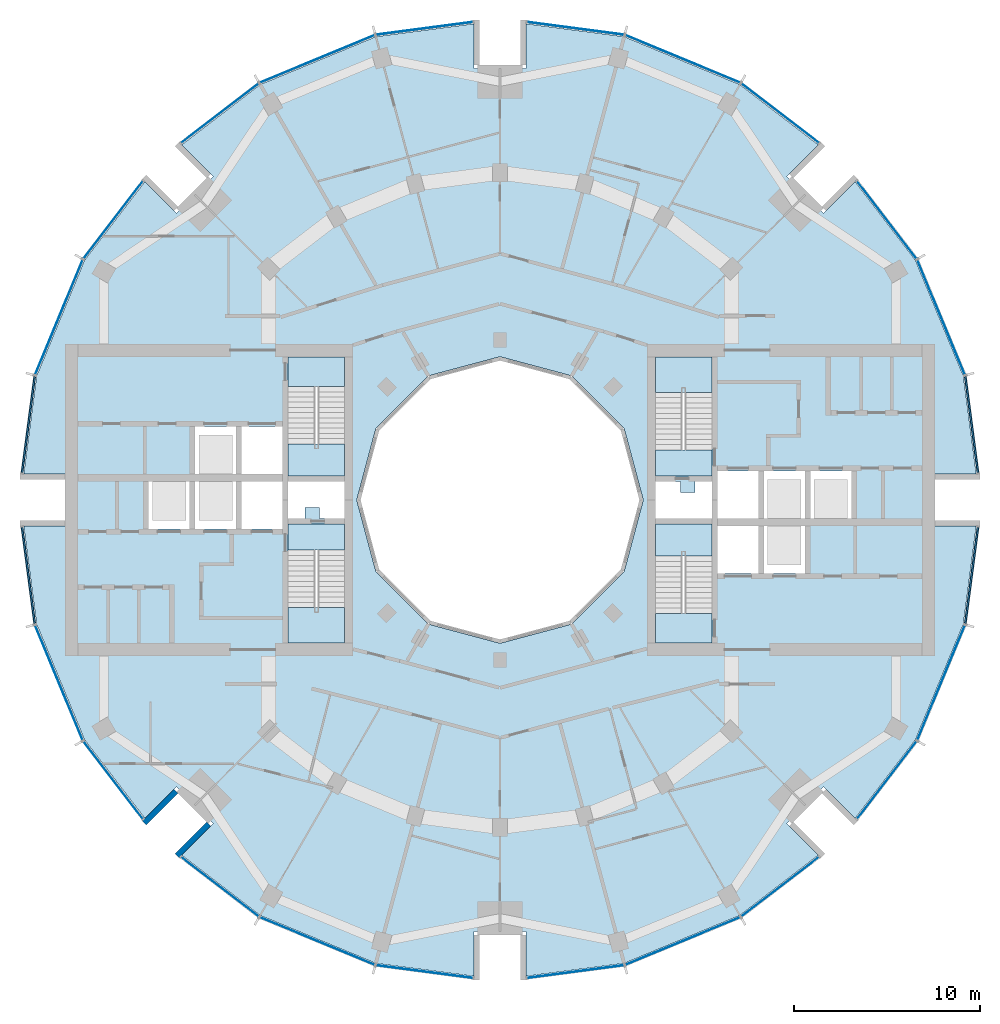
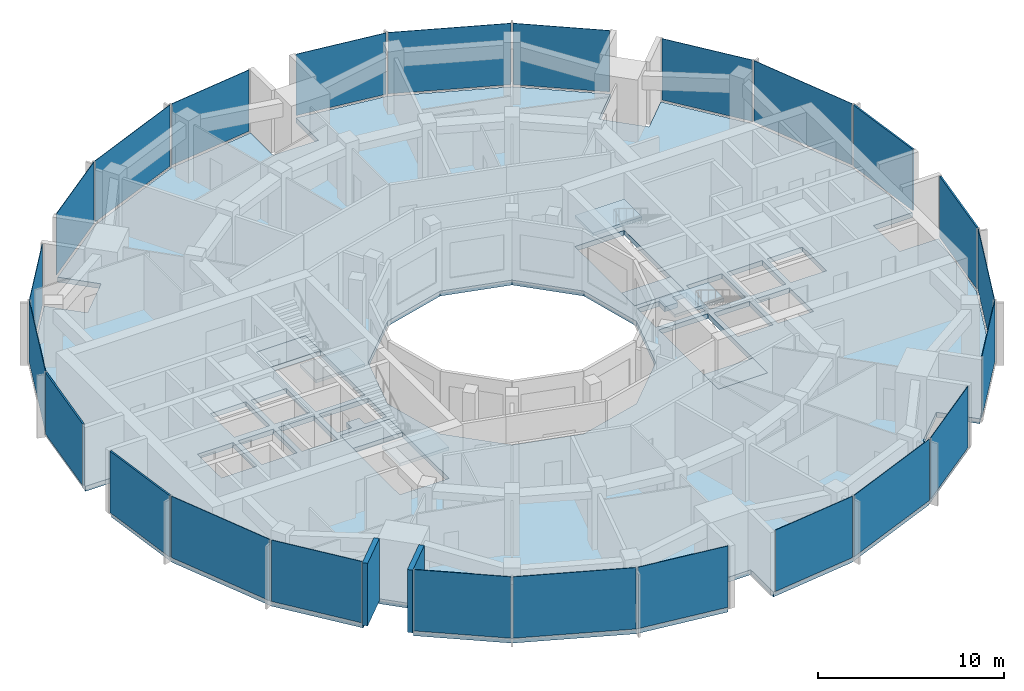
# One storey, part 7 of 15: 24 plates, 9 slabs, 2 walls, 28 elements without a shape of their own.
"""IFC4 building model written with IfcOpenShell, lengths in metres."""

from ifc_helpers import new_model, si_unit, direction, frame, frame_2d, origin, origin_2d, place, context, subcontext, project, spatial, polyline, rectangle, outline, extrude, material, layer, layer_set, type_object, element, aggregate, save


model = new_model("IFC4")

# Units and contexts
model_context = context("Model", 3, precision=1e-05, world=origin(), true_north=direction((0.0, 1.0)))
body_context = subcontext(model_context, "Body", "Model", "MODEL_VIEW")
ifc_project = project(units=[si_unit("LENGTHUNIT", "METRE"), si_unit("AREAUNIT", "SQUARE_METRE"), si_unit("VOLUMEUNIT", "CUBIC_METRE"), si_unit("PLANEANGLEUNIT", "RADIAN"), si_unit("MASSUNIT", "GRAM", prefix="KILO")], contexts=[model_context])

# Site, building, storey
site_placement = place(None, origin())
site = spatial("IfcSite", under=ifc_project, at=site_placement, CompositionType="ELEMENT")
building_placement = place(site_placement, origin())
building = spatial("IfcBuilding", under=site, at=building_placement, Name="Torre Brocal", CompositionType="ELEMENT")
storey_placement = place(building_placement, frame((0.0, 0.0, 170.0)))
storey = spatial("IfcBuildingStorey", under=building, at=storey_placement, Name="L39", CompositionType="ELEMENT", Elevation=170.0)

# Curtain wall, plate
ifc_material_1 = material(Name="Aluminium and glass", Category="aluminium")
ifc_layer_1 = layer(ifc_material_1, 0.199951171875)
ifc_layer_set_1 = layer_set([ifc_layer_1], Name="Aluminium and glass")
curtain_wall_type_1 = type_object("IfcCurtainWallType", Name="CW-1 CURTAIN WALL 4100 HIGH", PredefinedType="NOTDEFINED", material=ifc_layer_set_1)
curtain_wall_1_placement = place(storey_placement, origin())
curtain_wall_1 = element("IfcCurtainWall", 1, at=curtain_wall_1_placement, inside=storey, type_object=curtain_wall_type_1, Name="CW-1 RUN 2", PredefinedType="NOTDEFINED")
ifc_material_2 = material(Name="Glass, dark tinted laminated", Category="glass")
ifc_layer_2 = layer(ifc_material_2, 0.031982421875)
ifc_layer_set_2 = layer_set([ifc_layer_2], Name="Glass, dark tinted laminated")
plate_type_1 = type_object("IfcPlateType", Name="CW-1 GLASS PANEL 32", PredefinedType="CURTAIN_PANEL", material=ifc_layer_set_2)
plate_1_placement = place(storey_placement, frame((103.722900390625, 84.826416015625, 0.080078125), z_axis=(0.0, 0.0, 1.0), x_axis=(-0.382683432333, 0.923879532525, 0.0)))
plate_1 = element("IfcPlate", 2, at=plate_1_placement, type_object=plate_type_1, Name="CW1-4 panel 1.1", PredefinedType="CURTAIN_PANEL", context=body_context, shape_type="SweptSolid", body=[
    extrude(rectangle(XDim=6.64111328125, YDim=0.031982421875, at=origin_2d()), origin(), (0.0, 0.0, 1.0), 4.02001953125),
])
aggregate(curtain_wall_1, [plate_1])

curtain_wall_2_placement = place(storey_placement, origin())
curtain_wall_2 = element("IfcCurtainWall", 3, at=curtain_wall_2_placement, inside=storey, type_object=curtain_wall_type_1, Name="CW-1 RUN 3", PredefinedType="NOTDEFINED")
plate_2_placement = place(storey_placement, frame((100.80126953125, 90.0712890625, 0.080078125), z_axis=(0.0, 0.0, 1.0), x_axis=(-0.60876142905, 0.793353340259, 0.0)))
plate_2 = element("IfcPlate", 4, at=plate_2_placement, type_object=plate_type_1, Name="CW1-4 panel 1.1", PredefinedType="CURTAIN_PANEL", context=body_context, shape_type="SweptSolid", body=[
    extrude(rectangle(XDim=5.22900390625, YDim=0.031982421875, at=origin_2d()), origin(), (0.0, 0.0, 1.0), 4.02001953125),
])
aggregate(curtain_wall_2, [plate_2])

curtain_wall_3_placement = place(storey_placement, origin())
curtain_wall_3 = element("IfcCurtainWall", 5, at=curtain_wall_3_placement, inside=storey, type_object=curtain_wall_type_1, Name="CW-1 RUN 4", PredefinedType="NOTDEFINED")
plate_3_placement = place(storey_placement, frame((95.0712890625, 95.80126953125, 0.080078125), z_axis=(0.0, 0.0, 1.0), x_axis=(-0.793353340259, 0.60876142905, 0.0)))
plate_3 = element("IfcPlate", 6, at=plate_3_placement, type_object=plate_type_1, Name="CW1-4 panel 1.1", PredefinedType="CURTAIN_PANEL", context=body_context, shape_type="SweptSolid", body=[
    extrude(rectangle(XDim=5.22900390625, YDim=0.031982421875, at=origin_2d()), origin(), (0.0, 0.0, 1.0), 4.02001953125),
])
aggregate(curtain_wall_3, [plate_3])

curtain_wall_4_placement = place(storey_placement, origin())
curtain_wall_4 = element("IfcCurtainWall", 7, at=curtain_wall_4_placement, inside=storey, type_object=curtain_wall_type_1, Name="CW-1 RUN 5", PredefinedType="NOTDEFINED")
plate_4_placement = place(storey_placement, frame((89.826416015625, 98.722900390625, 0.080078125), z_axis=(0.0, 0.0, 1.0), x_axis=(-0.923879532525, 0.382683432333, 0.0)))
plate_4 = element("IfcPlate", 8, at=plate_4_placement, type_object=plate_type_1, Name="CW1-4 panel 1.1", PredefinedType="CURTAIN_PANEL", context=body_context, shape_type="SweptSolid", body=[
    extrude(rectangle(XDim=6.64111328125, YDim=0.031982421875, at=origin_2d()), origin(), (0.0, 0.0, 1.0), 4.02001953125),
])
aggregate(curtain_wall_4, [plate_4])

curtain_wall_5_placement = place(storey_placement, origin())
curtain_wall_5 = element("IfcCurtainWall", 9, at=curtain_wall_5_placement, inside=storey, type_object=curtain_wall_type_1, Name="CW-1 RUN 6", PredefinedType="NOTDEFINED")
plate_5_placement = place(storey_placement, frame((84.051513671875, 100.36572265625, 0.080078125), z_axis=(0.0, 0.0, 1.0), x_axis=(-0.991444861374, 0.13052619222, 0.0)))
plate_5 = element("IfcPlate", 10, at=plate_5_placement, type_object=plate_type_1, Name="CW1-4 panel 1.1", PredefinedType="CURTAIN_PANEL", context=body_context, shape_type="SweptSolid", body=[
    extrude(rectangle(XDim=5.22900390625, YDim=0.031982421875, at=origin_2d()), origin(), (0.0, 0.0, 1.0), 4.02001953125),
])
aggregate(curtain_wall_5, [plate_5])

curtain_wall_6_placement = place(storey_placement, origin())
curtain_wall_6 = element("IfcCurtainWall", 11, at=curtain_wall_6_placement, inside=storey, type_object=curtain_wall_type_1, Name="CW-1 RUN 7", PredefinedType="NOTDEFINED")
plate_6_placement = place(storey_placement, frame((75.948486328125, 100.36572265625, 0.080078125), z_axis=(0.0, 0.0, 1.0), x_axis=(-0.991444861374, -0.13052619222, 0.0)))
plate_6 = element("IfcPlate", 12, at=plate_6_placement, type_object=plate_type_1, Name="CW1-4 panel 1.1", PredefinedType="CURTAIN_PANEL", context=body_context, shape_type="SweptSolid", body=[
    extrude(rectangle(XDim=5.22900390625, YDim=0.031982421875, at=origin_2d()), origin(), (0.0, 0.0, 1.0), 4.02001953125),
])
aggregate(curtain_wall_6, [plate_6])

curtain_wall_7_placement = place(storey_placement, origin())
curtain_wall_7 = element("IfcCurtainWall", 13, at=curtain_wall_7_placement, inside=storey, type_object=curtain_wall_type_1, Name="CW-1 RUN 8", PredefinedType="NOTDEFINED")
plate_7_placement = place(storey_placement, frame((70.173583984375, 98.722900390625, 0.080078125), z_axis=(0.0, 0.0, 1.0), x_axis=(-0.923879532525, -0.382683432333, 0.0)))
plate_7 = element("IfcPlate", 14, at=plate_7_placement, type_object=plate_type_1, Name="CW1-4 panel 1.1", PredefinedType="CURTAIN_PANEL", context=body_context, shape_type="SweptSolid", body=[
    extrude(rectangle(XDim=6.64111328125, YDim=0.031982421875, at=origin_2d()), origin(), (0.0, 0.0, 1.0), 4.02001953125),
])
aggregate(curtain_wall_7, [plate_7])

curtain_wall_8_placement = place(storey_placement, origin())
curtain_wall_8 = element("IfcCurtainWall", 15, at=curtain_wall_8_placement, inside=storey, type_object=curtain_wall_type_1, Name="CW-1 RUN 9", PredefinedType="NOTDEFINED")
plate_8_placement = place(storey_placement, frame((64.9287109375, 95.80126953125, 0.080078125), z_axis=(0.0, 0.0, 1.0), x_axis=(-0.793353340259, -0.60876142905, 0.0)))
plate_8 = element("IfcPlate", 16, at=plate_8_placement, type_object=plate_type_1, Name="CW1-4 panel 1.1", PredefinedType="CURTAIN_PANEL", context=body_context, shape_type="SweptSolid", body=[
    extrude(rectangle(XDim=5.22900390625, YDim=0.031982421875, at=origin_2d()), origin(), (0.0, 0.0, 1.0), 4.02001953125),
])
aggregate(curtain_wall_8, [plate_8])

curtain_wall_9_placement = place(storey_placement, origin())
curtain_wall_9 = element("IfcCurtainWall", 17, at=curtain_wall_9_placement, inside=storey, type_object=curtain_wall_type_1, Name="CW-1 RUN 10", PredefinedType="NOTDEFINED")
plate_9_placement = place(storey_placement, frame((59.19873046875, 90.0712890625, 0.080078125), z_axis=(0.0, 0.0, 1.0), x_axis=(-0.60876142905, -0.793353340259, 0.0)))
plate_9 = element("IfcPlate", 18, at=plate_9_placement, type_object=plate_type_1, Name="CW1-4 panel 1.1", PredefinedType="CURTAIN_PANEL", context=body_context, shape_type="SweptSolid", body=[
    extrude(rectangle(XDim=5.22900390625, YDim=0.031982421875, at=origin_2d()), origin(), (0.0, 0.0, 1.0), 4.02001953125),
])
aggregate(curtain_wall_9, [plate_9])

curtain_wall_10_placement = place(storey_placement, origin())
curtain_wall_10 = element("IfcCurtainWall", 19, at=curtain_wall_10_placement, inside=storey, type_object=curtain_wall_type_1, Name="CW-1 RUN 11", PredefinedType="NOTDEFINED")
plate_10_placement = place(storey_placement, frame((56.277099609375, 84.826416015625, 0.080078125), z_axis=(0.0, 0.0, 1.0), x_axis=(-0.382683432333, -0.923879532525, 0.0)))
plate_10 = element("IfcPlate", 20, at=plate_10_placement, type_object=plate_type_1, Name="CW1-4 panel 1.1", PredefinedType="CURTAIN_PANEL", context=body_context, shape_type="SweptSolid", body=[
    extrude(rectangle(XDim=6.64111328125, YDim=0.031982421875, at=origin_2d()), origin(), (0.0, 0.0, 1.0), 4.02001953125),
])
aggregate(curtain_wall_10, [plate_10])

curtain_wall_11_placement = place(storey_placement, origin())
curtain_wall_11 = element("IfcCurtainWall", 21, at=curtain_wall_11_placement, inside=storey, type_object=curtain_wall_type_1, Name="CW-1 RUN 14", PredefinedType="NOTDEFINED")
plate_11_placement = place(storey_placement, frame((56.277099609375, 65.173583984375, 0.080078125), z_axis=(0.0, 0.0, 1.0), x_axis=(0.382683432333, -0.923879532525, 0.0)))
plate_11 = element("IfcPlate", 22, at=plate_11_placement, type_object=plate_type_1, Name="CW1-4 panel 1.1", PredefinedType="CURTAIN_PANEL", context=body_context, shape_type="SweptSolid", body=[
    extrude(rectangle(XDim=6.64111328125, YDim=0.031982421875, at=origin_2d()), origin(), (0.0, 0.0, 1.0), 4.02001953125),
])
aggregate(curtain_wall_11, [plate_11])

curtain_wall_12_placement = place(storey_placement, origin())
curtain_wall_12 = element("IfcCurtainWall", 23, at=curtain_wall_12_placement, inside=storey, type_object=curtain_wall_type_1, Name="CW-1 RUN 15", PredefinedType="NOTDEFINED")
plate_12_placement = place(storey_placement, frame((59.19873046875, 59.9287109375, 0.080078125), z_axis=(0.0, 0.0, 1.0), x_axis=(0.60876142905, -0.793353340259, 0.0)))
plate_12 = element("IfcPlate", 24, at=plate_12_placement, type_object=plate_type_1, Name="CW1-4 panel 1.1", PredefinedType="CURTAIN_PANEL", context=body_context, shape_type="SweptSolid", body=[
    extrude(rectangle(XDim=5.22900390625, YDim=0.031982421875, at=origin_2d()), origin(), (0.0, 0.0, 1.0), 4.02001953125),
])
aggregate(curtain_wall_12, [plate_12])

curtain_wall_13_placement = place(storey_placement, origin())
curtain_wall_13 = element("IfcCurtainWall", 25, at=curtain_wall_13_placement, inside=storey, type_object=curtain_wall_type_1, Name="CW-1 RUN 16", PredefinedType="NOTDEFINED")
plate_13_placement = place(storey_placement, frame((64.9287109375, 54.19873046875, 0.080078125), z_axis=(0.0, 0.0, 1.0), x_axis=(0.793353340259, -0.60876142905, 0.0)))
plate_13 = element("IfcPlate", 26, at=plate_13_placement, type_object=plate_type_1, Name="CW1-4 panel 1.1", PredefinedType="CURTAIN_PANEL", context=body_context, shape_type="SweptSolid", body=[
    extrude(rectangle(XDim=5.22900390625, YDim=0.031982421875, at=origin_2d()), origin(), (0.0, 0.0, 1.0), 4.02001953125),
])
aggregate(curtain_wall_13, [plate_13])

curtain_wall_14_placement = place(storey_placement, origin())
curtain_wall_14 = element("IfcCurtainWall", 27, at=curtain_wall_14_placement, inside=storey, type_object=curtain_wall_type_1, Name="CW-1 RUN 17", PredefinedType="NOTDEFINED")
plate_14_placement = place(storey_placement, frame((70.173583984375, 51.277099609375, 0.080078125), z_axis=(0.0, 0.0, 1.0), x_axis=(0.923879532525, -0.382683432333, 0.0)))
plate_14 = element("IfcPlate", 28, at=plate_14_placement, type_object=plate_type_1, Name="CW1-4 panel 1.1", PredefinedType="CURTAIN_PANEL", context=body_context, shape_type="SweptSolid", body=[
    extrude(rectangle(XDim=6.64111328125, YDim=0.031982421875, at=origin_2d()), origin(), (0.0, 0.0, 1.0), 4.02001953125),
])
aggregate(curtain_wall_14, [plate_14])

curtain_wall_15_placement = place(storey_placement, origin())
curtain_wall_15 = element("IfcCurtainWall", 29, at=curtain_wall_15_placement, inside=storey, type_object=curtain_wall_type_1, Name="CW-1 RUN 18", PredefinedType="NOTDEFINED")
plate_15_placement = place(storey_placement, frame((75.948486328125, 49.63427734375, 0.080078125), z_axis=(0.0, 0.0, 1.0), x_axis=(0.991444861374, -0.13052619222, 0.0)))
plate_15 = element("IfcPlate", 30, at=plate_15_placement, type_object=plate_type_1, Name="CW1-4 panel 1.1", PredefinedType="CURTAIN_PANEL", context=body_context, shape_type="SweptSolid", body=[
    extrude(rectangle(XDim=5.22900390625, YDim=0.031982421875, at=origin_2d()), origin(), (0.0, 0.0, 1.0), 4.02001953125),
])
aggregate(curtain_wall_15, [plate_15])

curtain_wall_16_placement = place(storey_placement, origin())
curtain_wall_16 = element("IfcCurtainWall", 31, at=curtain_wall_16_placement, inside=storey, type_object=curtain_wall_type_1, Name="CW-1 RUN 19", PredefinedType="NOTDEFINED")
plate_16_placement = place(storey_placement, frame((84.051513671875, 49.63427734375, 0.080078125), z_axis=(0.0, 0.0, 1.0), x_axis=(0.991444861374, 0.13052619222, 0.0)))
plate_16 = element("IfcPlate", 32, at=plate_16_placement, type_object=plate_type_1, Name="CW1-4 panel 1.1", PredefinedType="CURTAIN_PANEL", context=body_context, shape_type="SweptSolid", body=[
    extrude(rectangle(XDim=5.22900390625, YDim=0.031982421875, at=origin_2d()), origin(), (0.0, 0.0, 1.0), 4.02001953125),
])
aggregate(curtain_wall_16, [plate_16])

curtain_wall_17_placement = place(storey_placement, origin())
curtain_wall_17 = element("IfcCurtainWall", 33, at=curtain_wall_17_placement, inside=storey, type_object=curtain_wall_type_1, Name="CW-1 RUN 20", PredefinedType="NOTDEFINED")
plate_17_placement = place(storey_placement, frame((89.826416015625, 51.277099609375, 0.080078125), z_axis=(0.0, 0.0, 1.0), x_axis=(0.923879532525, 0.382683432333, 0.0)))
plate_17 = element("IfcPlate", 34, at=plate_17_placement, type_object=plate_type_1, Name="CW1-4 panel 1.1", PredefinedType="CURTAIN_PANEL", context=body_context, shape_type="SweptSolid", body=[
    extrude(rectangle(XDim=6.64111328125, YDim=0.031982421875, at=origin_2d()), origin(), (0.0, 0.0, 1.0), 4.02001953125),
])
aggregate(curtain_wall_17, [plate_17])

curtain_wall_18_placement = place(storey_placement, origin())
curtain_wall_18 = element("IfcCurtainWall", 35, at=curtain_wall_18_placement, inside=storey, type_object=curtain_wall_type_1, Name="CW-1 RUN 21", PredefinedType="NOTDEFINED")
plate_18_placement = place(storey_placement, frame((95.0712890625, 54.19873046875, 0.080078125), z_axis=(0.0, 0.0, 1.0), x_axis=(0.793353340259, 0.60876142905, 0.0)))
plate_18 = element("IfcPlate", 36, at=plate_18_placement, type_object=plate_type_1, Name="CW1-4 panel 1.1", PredefinedType="CURTAIN_PANEL", context=body_context, shape_type="SweptSolid", body=[
    extrude(rectangle(XDim=5.22900390625, YDim=0.031982421875, at=origin_2d()), origin(), (0.0, 0.0, 1.0), 4.02001953125),
])
aggregate(curtain_wall_18, [plate_18])

curtain_wall_19_placement = place(storey_placement, origin())
curtain_wall_19 = element("IfcCurtainWall", 37, at=curtain_wall_19_placement, inside=storey, type_object=curtain_wall_type_1, Name="CW-1 RUN 22", PredefinedType="NOTDEFINED")
plate_19_placement = place(storey_placement, frame((100.80126953125, 59.9287109375, 0.080078125), z_axis=(0.0, 0.0, 1.0), x_axis=(0.60876142905, 0.793353340259, 0.0)))
plate_19 = element("IfcPlate", 38, at=plate_19_placement, type_object=plate_type_1, Name="CW1-4 panel 1.1", PredefinedType="CURTAIN_PANEL", context=body_context, shape_type="SweptSolid", body=[
    extrude(rectangle(XDim=5.22900390625, YDim=0.031982421875, at=origin_2d()), origin(), (0.0, 0.0, 1.0), 4.02001953125),
])
aggregate(curtain_wall_19, [plate_19])

curtain_wall_20_placement = place(storey_placement, origin())
curtain_wall_20 = element("IfcCurtainWall", 39, at=curtain_wall_20_placement, inside=storey, type_object=curtain_wall_type_1, Name="CW-1 RUN 23", PredefinedType="NOTDEFINED")
plate_20_placement = place(storey_placement, frame((103.722900390625, 65.173583984375, 0.080078125), z_axis=(0.0, 0.0, 1.0), x_axis=(0.382683432333, 0.923879532525, 0.0)))
plate_20 = element("IfcPlate", 40, at=plate_20_placement, type_object=plate_type_1, Name="CW1-4 panel 1.1", PredefinedType="CURTAIN_PANEL", context=body_context, shape_type="SweptSolid", body=[
    extrude(rectangle(XDim=6.64111328125, YDim=0.031982421875, at=origin_2d()), origin(), (0.0, 0.0, 1.0), 4.02001953125),
])
aggregate(curtain_wall_20, [plate_20])

ifc_material_3 = material(Name="Aluminium and glass", Category="aluminium")
ifc_layer_3 = layer(ifc_material_3, 0.199951171875)
ifc_layer_set_3 = layer_set([ifc_layer_3], Name="Aluminium and glass")
curtain_wall_type_2 = type_object("IfcCurtainWallType", Name="CW-1B CURTAIN WALL 4100 HIGH", PredefinedType="NOTDEFINED", material=ifc_layer_set_3)
curtain_wall_21_placement = place(storey_placement, origin())
curtain_wall_21 = element("IfcCurtainWall", 41, at=curtain_wall_21_placement, inside=storey, type_object=curtain_wall_type_2, Name="CW-1B RUN 1", PredefinedType="NOTDEFINED")
ifc_material_4 = material(Name="Aluminium composite panel", Category="aluminium")
ifc_layer_4 = layer(ifc_material_4, 0.10009765625)
ifc_layer_set_4 = layer_set([ifc_layer_4], Name="Aluminium composite panel")
plate_type_2 = type_object("IfcPlateType", Name="CW-1B OPAQUE PANEL 100", PredefinedType="CURTAIN_PANEL", material=ifc_layer_set_4)
plate_21_placement = place(storey_placement, frame((105.36572265625, 79.051513671875, 0.080078125), z_axis=(0.0, 0.0, 1.0), x_axis=(-0.13052619222, 0.991444861374, 0.0)))
plate_21 = element("IfcPlate", 42, at=plate_21_placement, type_object=plate_type_2, Name="CW1B-4 panel 1.1", PredefinedType="CURTAIN_PANEL", context=body_context, shape_type="SweptSolid", body=[
    extrude(rectangle(XDim=5.22900390625, YDim=0.10009765625, at=origin_2d()), origin(), (0.0, 0.0, 1.0), 4.02001953125),
])
aggregate(curtain_wall_21, [plate_21])

curtain_wall_22_placement = place(storey_placement, origin())
curtain_wall_22 = element("IfcCurtainWall", 43, at=curtain_wall_22_placement, inside=storey, type_object=curtain_wall_type_2, Name="CW-1B RUN 12", PredefinedType="NOTDEFINED")
plate_22_placement = place(storey_placement, frame((54.63427734375, 79.051513671875, 0.080078125), z_axis=(0.0, 0.0, 1.0), x_axis=(-0.13052619222, -0.991444861374, 0.0)))
plate_22 = element("IfcPlate", 44, at=plate_22_placement, type_object=plate_type_2, Name="CW1B-4 panel 1.1", PredefinedType="CURTAIN_PANEL", context=body_context, shape_type="SweptSolid", body=[
    extrude(rectangle(XDim=5.22900390625, YDim=0.10009765625, at=origin_2d()), origin(), (0.0, 0.0, 1.0), 4.02001953125),
])
aggregate(curtain_wall_22, [plate_22])

curtain_wall_23_placement = place(storey_placement, origin())
curtain_wall_23 = element("IfcCurtainWall", 45, at=curtain_wall_23_placement, inside=storey, type_object=curtain_wall_type_2, Name="CW-1B RUN 13", PredefinedType="NOTDEFINED")
plate_23_placement = place(storey_placement, frame((54.63427734375, 70.948486328125, 0.080078125), z_axis=(0.0, 0.0, 1.0), x_axis=(0.13052619222, -0.991444861374, 0.0)))
plate_23 = element("IfcPlate", 46, at=plate_23_placement, type_object=plate_type_2, Name="CW1B-4 panel 1.1", PredefinedType="CURTAIN_PANEL", context=body_context, shape_type="SweptSolid", body=[
    extrude(rectangle(XDim=5.22900390625, YDim=0.10009765625, at=origin_2d()), origin(), (0.0, 0.0, 1.0), 4.02001953125),
])
aggregate(curtain_wall_23, [plate_23])

curtain_wall_24_placement = place(storey_placement, origin())
curtain_wall_24 = element("IfcCurtainWall", 47, at=curtain_wall_24_placement, inside=storey, type_object=curtain_wall_type_2, Name="CW-1B RUN 24", PredefinedType="NOTDEFINED")
plate_24_placement = place(storey_placement, frame((105.36572265625, 70.948486328125, 0.080078125), z_axis=(0.0, 0.0, 1.0), x_axis=(0.13052619222, 0.991444861374, 0.0)))
plate_24 = element("IfcPlate", 48, at=plate_24_placement, type_object=plate_type_2, Name="CW1B-4 panel 1.1", PredefinedType="CURTAIN_PANEL", context=body_context, shape_type="SweptSolid", body=[
    extrude(rectangle(XDim=5.22900390625, YDim=0.10009765625, at=origin_2d()), origin(), (0.0, 0.0, 1.0), 4.02001953125),
])
aggregate(curtain_wall_24, [plate_24])

# Stair, slab
ifc_material_5 = material(Name="Concrete C50", Category="concrete")
stair_type = type_object("IfcStairType", Name="EXIT STAIR", PredefinedType="HALF_TURN_STAIR", material=ifc_material_5)
stair_1_placement = place(storey_placement, origin())
stair_1 = element("IfcStair", 49, at=stair_1_placement, inside=storey, type_object=stair_type, Name="EXIT STAIR ST1", PredefinedType="HALF_TURN_STAIR")
ifc_material_6 = material(Name="Concrete C50", Category="concrete")
ifc_layer_5 = layer(ifc_material_6, 0.320068359375)
ifc_layer_set_5 = layer_set([ifc_layer_5], Name="Concrete C50")
slab_type_1 = type_object("IfcSlabType", Name="FLOOR LANDING 320", PredefinedType="LANDING", material=ifc_layer_set_5)
slab_1_placement = place(storey_placement, frame((0.0, 0.0, -0.320068359375)))
slab_1 = element("IfcSlab", 50, at=slab_1_placement, type_object=slab_type_1, Name="ST1 landing 1", PredefinedType="LANDING", context=body_context, shape_type="SweptSolid", body=[
    extrude(outline(polyline([(88.35009765625, 76.300048828125), (91.39990234375, 76.300048828125), (91.39990234375, 77.699951171875), (88.35009765625, 77.699951171875), (88.35009765625, 76.300048828125)])), origin(), (0.0, 0.0, 1.0), 0.320068359375),
])

stair_2_placement = place(storey_placement, origin())
stair_2 = element("IfcStair", 51, at=stair_2_placement, inside=storey, type_object=stair_type, Name="EXIT STAIR ST2", PredefinedType="HALF_TURN_STAIR")
slab_2_placement = place(storey_placement, frame((0.0, 0.0, -0.320068359375)))
slab_2 = element("IfcSlab", 52, at=slab_2_placement, type_object=slab_type_1, Name="ST2 landing 1", PredefinedType="LANDING", context=body_context, shape_type="SweptSolid", body=[
    extrude(outline(polyline([(88.35009765625, 67.300048828125), (91.39990234375, 67.300048828125), (91.39990234375, 68.89990234375), (88.35009765625, 68.89990234375), (88.35009765625, 67.300048828125)])), origin(), (0.0, 0.0, 1.0), 0.320068359375),
])

stair_3_placement = place(storey_placement, origin())
stair_3 = element("IfcStair", 53, at=stair_3_placement, inside=storey, type_object=stair_type, Name="EXIT STAIR ST3", PredefinedType="HALF_TURN_STAIR")
slab_3_placement = place(storey_placement, frame((0.0, 0.0, -0.320068359375)))
slab_3 = element("IfcSlab", 54, at=slab_3_placement, type_object=slab_type_1, Name="ST3 landing 1", PredefinedType="LANDING", context=body_context, shape_type="SweptSolid", body=[
    extrude(outline(polyline([(71.64990234375, 73.699951171875), (68.60009765625, 73.699951171875), (68.60009765625, 72.300048828125), (71.64990234375, 72.300048828125), (71.64990234375, 73.699951171875)])), origin(), (0.0, 0.0, 1.0), 0.320068359375),
])

stair_4_placement = place(storey_placement, origin())
stair_4 = element("IfcStair", 55, at=stair_4_placement, inside=storey, type_object=stair_type, Name="EXIT STAIR ST4", PredefinedType="HALF_TURN_STAIR")
slab_4_placement = place(storey_placement, frame((0.0, 0.0, -0.320068359375)))
slab_4 = element("IfcSlab", 56, at=slab_4_placement, type_object=slab_type_1, Name="ST4 landing 1", PredefinedType="LANDING", context=body_context, shape_type="SweptSolid", body=[
    extrude(outline(polyline([(71.64990234375, 82.699951171875), (68.60009765625, 82.699951171875), (68.60009765625, 81.10009765625), (71.64990234375, 81.10009765625), (71.64990234375, 82.699951171875)])), origin(), (0.0, 0.0, 1.0), 0.320068359375),
])

# Slab
ifc_material_7 = material(Name="Concrete C50", Category="concrete")
ifc_layer_6 = layer(ifc_material_7, 0.199951171875)
ifc_layer_set_6 = layer_set([ifc_layer_6], Name="Concrete C50")
slab_type_2 = type_object("IfcSlabType", Name="MID LANDING +2050", PredefinedType="LANDING", material=ifc_layer_set_6)
slab_5_placement = place(storey_placement, frame((0.0, 0.0, 1.85009765625)))
slab_5 = element("IfcSlab", 57, at=slab_5_placement, type_object=slab_type_2, Name="ST1 landing 2", PredefinedType="LANDING", context=body_context, shape_type="SweptSolid", body=[
    extrude(outline(polyline([(88.35009765625, 80.780029296875), (91.39990234375, 80.780029296875), (91.39990234375, 82.699951171875), (88.35009765625, 82.699951171875), (88.35009765625, 80.780029296875)])), origin(), (0.0, 0.0, 1.0), 0.199951171875),
])

aggregate(stair_1, [slab_1, slab_5])

slab_6_placement = place(storey_placement, frame((0.0, 0.0, 1.85009765625)))
slab_6 = element("IfcSlab", 58, at=slab_6_placement, type_object=slab_type_2, Name="ST2 landing 2", PredefinedType="LANDING", context=body_context, shape_type="SweptSolid", body=[
    extrude(outline(polyline([(88.35009765625, 71.97998046875), (91.39990234375, 71.97998046875), (91.39990234375, 73.699951171875), (88.35009765625, 73.699951171875), (88.35009765625, 71.97998046875)])), origin(), (0.0, 0.0, 1.0), 0.199951171875),
])

aggregate(stair_2, [slab_2, slab_6])

slab_7_placement = place(storey_placement, frame((0.0, 0.0, 1.85009765625)))
slab_7 = element("IfcSlab", 59, at=slab_7_placement, type_object=slab_type_2, Name="ST3 landing 2", PredefinedType="LANDING", context=body_context, shape_type="SweptSolid", body=[
    extrude(outline(polyline([(71.64990234375, 69.219970703125), (68.60009765625, 69.219970703125), (68.60009765625, 67.300048828125), (71.64990234375, 67.300048828125), (71.64990234375, 69.219970703125)])), origin(), (0.0, 0.0, 1.0), 0.199951171875),
])

aggregate(stair_3, [slab_3, slab_7])

slab_8_placement = place(storey_placement, frame((0.0, 0.0, 1.85009765625)))
slab_8 = element("IfcSlab", 60, at=slab_8_placement, type_object=slab_type_2, Name="ST4 landing 2", PredefinedType="LANDING", context=body_context, shape_type="SweptSolid", body=[
    extrude(outline(polyline([(71.64990234375, 78.02001953125), (68.60009765625, 78.02001953125), (68.60009765625, 76.300048828125), (71.64990234375, 76.300048828125), (71.64990234375, 78.02001953125)])), origin(), (0.0, 0.0, 1.0), 0.199951171875),
])

aggregate(stair_4, [slab_4, slab_8])

ifc_material_8 = material(Name="Concrete C45", Category="concrete")
ifc_layer_7 = layer(ifc_material_8, 0.320068359375)
ifc_layer_set_7 = layer_set([ifc_layer_7], Name="Concrete C45")
slab_type_3 = type_object("IfcSlabType", Name="PT FLOOR SLAB 320 C45", PredefinedType="FLOOR", material=ifc_layer_set_7)
slab_9_placement = place(storey_placement, frame((0.0, 0.0, -0.320068359375)))
element("IfcSlab", 61, at=slab_9_placement, inside=storey, type_object=slab_type_3, Name="Slab ST-05", PredefinedType="FLOOR", context=body_context, shape_type="SweptSolid", body=[
    extrude(outline(polyline([(103.199951171875, 76.39990234375), (103.199951171875, 73.60009765625), (105.614013671875, 73.60009765625), (104.919189453125, 68.322998046875), (102.342041015625, 62.100830078125), (99.101806640625, 57.878173828125), (97.394775390625, 59.5849609375), (95.4150390625, 57.605224609375), (97.121826171875, 55.898193359375), (92.899169921875, 52.657958984375), (86.677001953125, 50.080810546875), (81.39990234375, 49.385986328125), (81.39990234375, 51.800048828125), (78.60009765625, 51.800048828125), (78.60009765625, 49.385986328125), (73.322998046875, 50.080810546875), (67.100830078125, 52.657958984375), (62.878173828125, 55.898193359375), (64.5849609375, 57.605224609375), (62.605224609375, 59.5849609375), (60.898193359375, 57.878173828125), (57.657958984375, 62.100830078125), (55.080810546875, 68.322998046875), (54.385986328125, 73.60009765625), (56.800048828125, 73.60009765625), (56.800048828125, 76.39990234375), (54.385986328125, 76.39990234375), (55.080810546875, 81.677001953125), (57.657958984375, 87.899169921875), (60.898193359375, 92.121826171875), (62.605224609375, 90.4150390625), (64.5849609375, 92.394775390625), (62.878173828125, 94.101806640625), (67.100830078125, 97.342041015625), (73.322998046875, 99.919189453125), (78.60009765625, 100.614013671875), (78.60009765625, 98.199951171875), (81.39990234375, 98.199951171875), (81.39990234375, 100.614013671875), (86.677001953125, 99.919189453125), (92.899169921875, 97.342041015625), (97.121826171875, 94.101806640625), (95.4150390625, 92.394775390625), (97.394775390625, 90.4150390625), (99.101806640625, 92.121826171875), (102.342041015625, 87.899169921875), (104.919189453125, 81.677001953125), (105.614013671875, 76.39990234375), (103.199951171875, 76.39990234375)]), holes=[polyline([(98.89990234375, 76.550048828125), (96.699951171875, 76.550048828125), (96.699951171875, 74.0), (98.89990234375, 74.0), (98.89990234375, 76.550048828125)]), polyline([(96.39990234375, 76.550048828125), (94.199951171875, 76.550048828125), (94.199951171875, 74.0), (96.39990234375, 74.0), (96.39990234375, 76.550048828125)]), polyline([(96.39990234375, 73.60009765625), (94.199951171875, 73.60009765625), (94.199951171875, 71.050048828125), (96.39990234375, 71.050048828125), (96.39990234375, 73.60009765625)]), polyline([(93.89990234375, 76.550048828125), (91.699951171875, 76.550048828125), (91.699951171875, 74.0), (93.89990234375, 74.0), (93.89990234375, 76.550048828125)]), polyline([(93.89990234375, 73.60009765625), (91.699951171875, 73.60009765625), (91.699951171875, 71.050048828125), (93.89990234375, 71.050048828125), (93.89990234375, 73.60009765625)]), polyline([(89.699951171875, 76.0), (88.35009765625, 76.0), (88.35009765625, 74.0), (91.39990234375, 74.0), (91.39990234375, 76.0), (90.5, 76.0), (90.5, 75.39990234375), (89.699951171875, 75.39990234375), (89.699951171875, 76.0)]), polyline([(91.39990234375, 82.699951171875), (88.35009765625, 82.699951171875), (88.35009765625, 76.300048828125), (91.39990234375, 76.300048828125), (91.39990234375, 82.699951171875)]), polyline([(91.39990234375, 73.699951171875), (88.35009765625, 73.699951171875), (88.35009765625, 67.300048828125), (91.39990234375, 67.300048828125), (91.39990234375, 73.699951171875)]), polyline([(80.0, 82.70703125), (76.146484375, 81.674560546875), (73.325439453125, 78.853515625), (72.29296875, 75.0), (73.325439453125, 71.146484375), (76.146484375, 68.325439453125), (80.0, 67.29296875), (83.853515625, 68.325439453125), (86.674560546875, 71.146484375), (87.70703125, 75.0), (86.674560546875, 78.853515625), (83.853515625, 81.674560546875), (80.0, 82.70703125)]), polyline([(70.300048828125, 74.0), (71.64990234375, 74.0), (71.64990234375, 76.0), (68.60009765625, 76.0), (68.60009765625, 74.0), (69.5, 74.0), (69.5, 74.60009765625), (70.300048828125, 74.60009765625), (70.300048828125, 74.0)]), polyline([(68.60009765625, 76.300048828125), (71.64990234375, 76.300048828125), (71.64990234375, 82.699951171875), (68.60009765625, 82.699951171875), (68.60009765625, 76.300048828125)]), polyline([(68.60009765625, 67.300048828125), (71.64990234375, 67.300048828125), (71.64990234375, 73.699951171875), (68.60009765625, 73.699951171875), (68.60009765625, 67.300048828125)]), polyline([(66.10009765625, 76.39990234375), (68.300048828125, 76.39990234375), (68.300048828125, 78.949951171875), (66.10009765625, 78.949951171875), (66.10009765625, 76.39990234375)]), polyline([(66.10009765625, 73.449951171875), (68.300048828125, 73.449951171875), (68.300048828125, 76.0), (66.10009765625, 76.0), (66.10009765625, 73.449951171875)]), polyline([(63.60009765625, 76.39990234375), (65.800048828125, 76.39990234375), (65.800048828125, 78.949951171875), (63.60009765625, 78.949951171875), (63.60009765625, 76.39990234375)]), polyline([(63.60009765625, 73.449951171875), (65.800048828125, 73.449951171875), (65.800048828125, 76.0), (63.60009765625, 76.0), (63.60009765625, 73.449951171875)]), polyline([(61.10009765625, 73.449951171875), (63.300048828125, 73.449951171875), (63.300048828125, 76.0), (61.10009765625, 76.0), (61.10009765625, 73.449951171875)])]), origin(), (0.0, 0.0, 1.0), 0.320068359375),
])

# Walls
ifc_material_9 = material(Name="Concrete C70", Category="concrete")
ifc_layer_8 = layer(ifc_material_9, 0.300048828125)
ifc_layer_set_8 = layer_set([ifc_layer_8], Name="Concrete C70")
wall_type = type_object("IfcWallType", Name="NOTCH RETURN WALL 300 C70", PredefinedType="NOTDEFINED", material=ifc_layer_set_8)
for number, where, z_axis, x_axis, name in (
    (62, (62.56982421875, 59.337646484375, 0.0), (0.0, 0.0, 1.0), (-0.707106781187, -0.707106781187, 0.0), "NOTCH RETURN WALL"),
    (63, (64.337646484375, 57.56982421875, 0.0), (0.0, 0.0, 1.0), (-0.707106781187, -0.707106781187, 0.0), "NOTCH RETURN WALL"),
):
    element("IfcWall", number, at=place(storey_placement, frame(where, z_axis=z_axis, x_axis=x_axis)), inside=storey, type_object=wall_type, Name=name, PredefinedType="NOTDEFINED", context=body_context, shape_type="SweptSolid", body=[
        extrude(rectangle(XDim=2.415771484375, YDim=0.300048828125, at=frame_2d((1.2080078125, 0.0))), origin(), (0.0, 0.0, 1.0), 4.10009765625),
    ])

save(model, "model.ifc")
